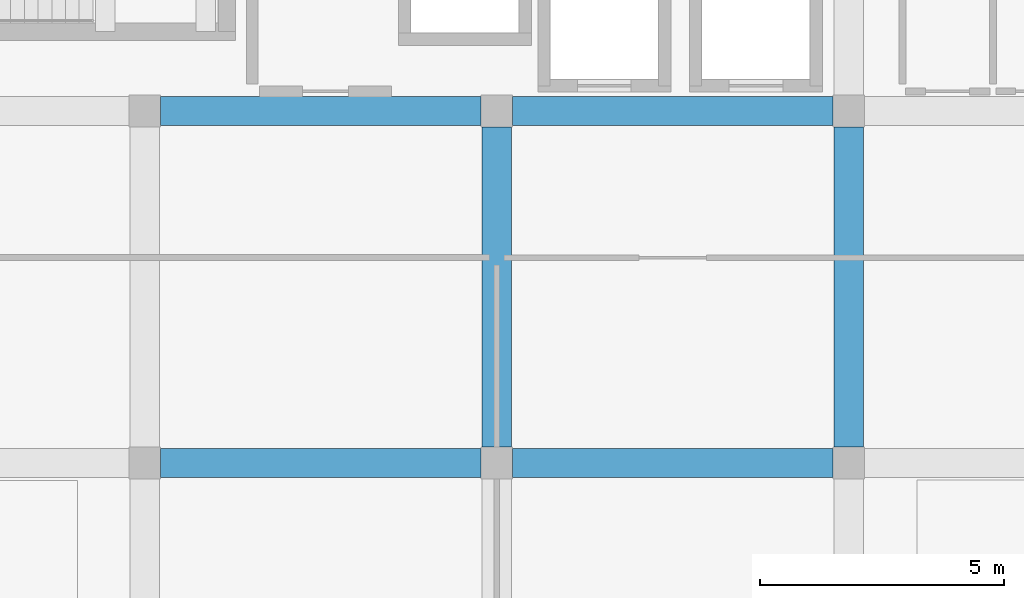
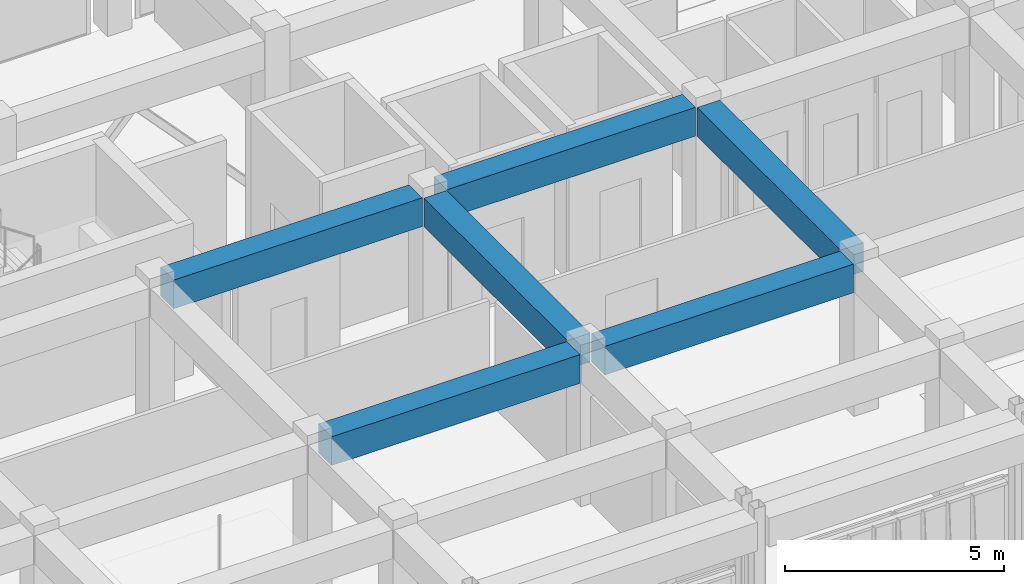
# One storey, part 10 of 56: 6 beams.
"""IFC4 building model written with IfcOpenShell, lengths in metres."""

from ifc_helpers import new_model, si_unit, direction, frame, origin, origin_2d, place, context, subcontext, project, spatial, rectangle, extrude, material, material_profile, profile_set, type_object, element, save


model = new_model("IFC4")

# Units and contexts
model_context = context("Model", 3, precision=1e-05, world=origin(), true_north=direction((0.0, 1.0)))
body_context = subcontext(model_context, "Body", "Model", "MODEL_VIEW")
ifc_project = project(units=[si_unit("LENGTHUNIT", "METRE"), si_unit("AREAUNIT", "SQUARE_METRE"), si_unit("VOLUMEUNIT", "CUBIC_METRE"), si_unit("PLANEANGLEUNIT", "RADIAN"), si_unit("MASSUNIT", "GRAM", prefix="KILO")], contexts=[model_context])

# Site, building, storey
site_placement = place(None, origin())
site = spatial("IfcSite", under=ifc_project, at=site_placement, CompositionType="ELEMENT")
building_placement = place(site_placement, origin())
building = spatial("IfcBuilding", under=site, at=building_placement, Name="Kazehaya Institute of Natural Sciences", CompositionType="ELEMENT")
storey_placement = place(building_placement, frame((0.0, 0.0, 28.800048828125)))
storey = spatial("IfcBuildingStorey", under=building, at=storey_placement, Name="L06", CompositionType="ELEMENT", Elevation=28.800048828125)

# Beams
ifc_material = material(Name="Concrete Fc36", Category="concrete")
ifc_material_profile = material_profile(ifc_material, rectangle(XDim=0.60009765625, YDim=0.800048828125, at=origin_2d()), Name="RC-600x800")
ifc_profile_set = profile_set([ifc_material_profile], Name="Concrete Fc36")
beam_type = type_object("IfcBeamType", Name="BM-G-600x800", PredefinedType="BEAM", material=ifc_profile_set)
for number, where, z_axis, x_axis, name in (
    (1, (69.324951171875, 14.0, 3.829833984375), (1.0, 0.0, 0.0), (0.0, 1.0, 0.0), "L06 primary X girder BMX-L06-690-140"),
    (2, (76.52490234375, 14.0, 3.829833984375), (1.0, 0.0, 0.0), (0.0, 1.0, 0.0), "L06 primary X girder BMX-L06-762-140"),
    (3, (69.324951171875, 21.199951171875, 3.829833984375), (1.0, 0.0, 0.0), (0.0, 1.0, 0.0), "L06 primary X girder BMX-L06-690-212"),
    (4, (76.52490234375, 21.199951171875, 3.829833984375), (1.0, 0.0, 0.0), (0.0, 1.0, 0.0), "L06 primary X girder BMX-L06-762-212"),
    (5, (76.199951171875, 14.324951171875, 3.829833984375), (0.0, 1.0, 0.0), (-1.0, 0.0, 0.0), "L06 primary Y girder BMY-L06-762-140"),
    (6, (83.39990234375, 14.324951171875, 3.829833984375), (0.0, 1.0, 0.0), (-1.0, 0.0, 0.0), "L06 primary Y girder BMY-L06-834-140"),
):
    element("IfcBeam", number, at=place(storey_placement, frame(where, z_axis=z_axis, x_axis=x_axis)), inside=storey, type_object=beam_type, Name=name, PredefinedType="BEAM", context=body_context, shape_type="SweptSolid", body=[
        extrude(rectangle(XDim=0.60009765625, YDim=0.800048828125, at=origin_2d()), origin(), (0.0, 0.0, 1.0), 6.550048828125),
    ])

save(model, "model.ifc")
